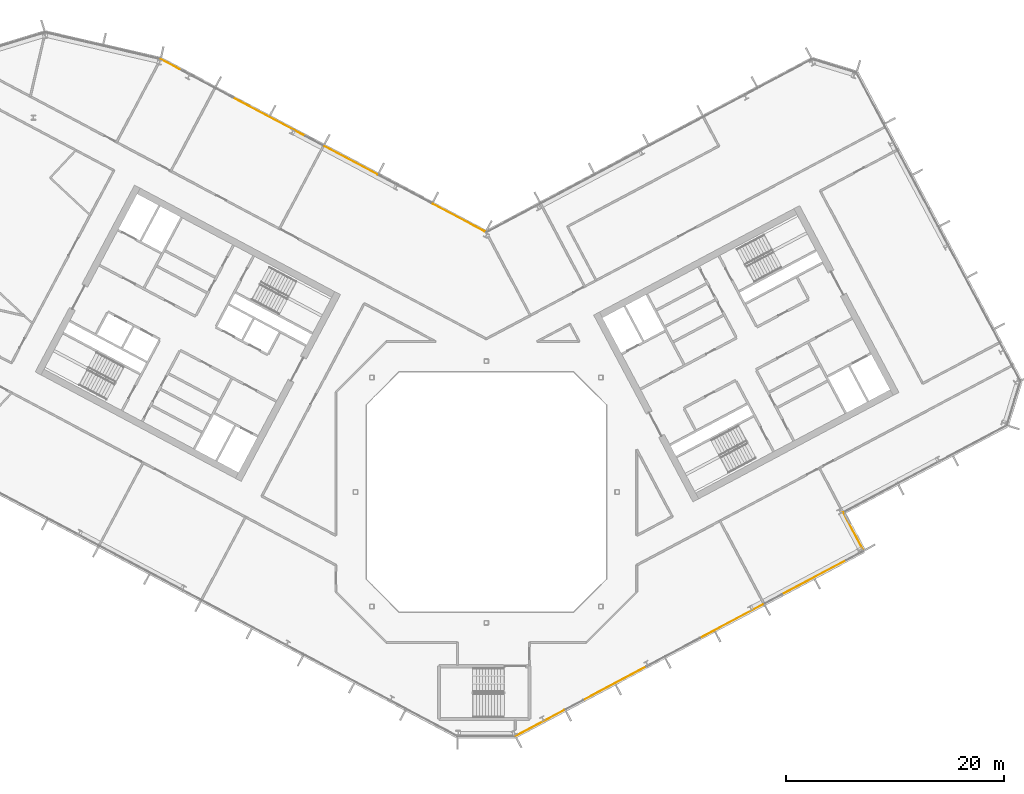
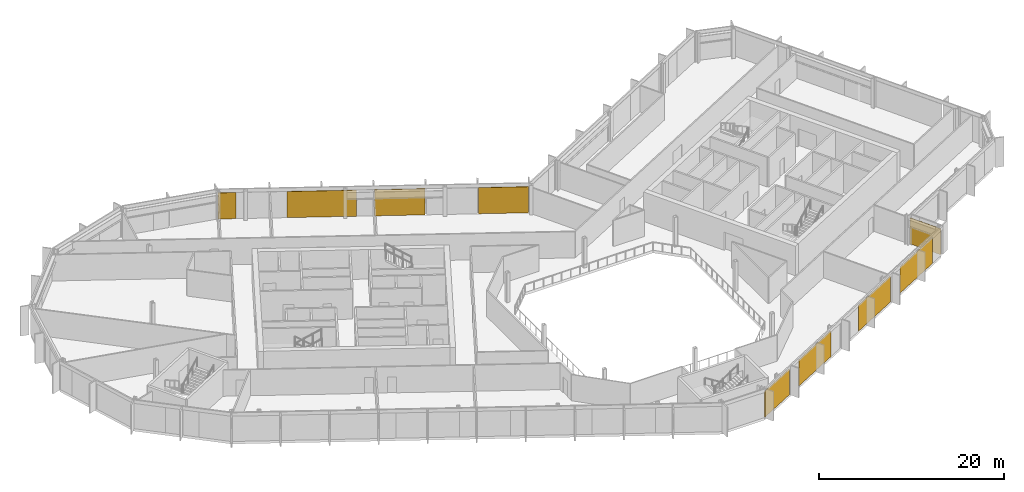
# One storey, part 23 of 26: 9 coverings, 3 elements without a shape of their own.
"""IFC4 building model written with IfcOpenShell, lengths in metres."""

from ifc_helpers import new_model, si_unit, direction, frame, origin, origin_2d, place, context, subcontext, project, spatial, rectangle, extrude, material, layer, layer_set, type_object, element, aggregate, save


model = new_model("IFC4")

# Units and contexts
model_context = context("Model", 3, precision=1e-05, world=origin(), true_north=direction((0.0, 1.0)))
body_context = subcontext(model_context, "Body", "Model", "MODEL_VIEW")
ifc_project = project(units=[si_unit("LENGTHUNIT", "METRE"), si_unit("AREAUNIT", "SQUARE_METRE"), si_unit("VOLUMEUNIT", "CUBIC_METRE"), si_unit("PLANEANGLEUNIT", "RADIAN"), si_unit("MASSUNIT", "GRAM", prefix="KILO")], contexts=[model_context])

# Site, building, storey
site_placement = place(None, origin())
site = spatial("IfcSite", under=ifc_project, at=site_placement, CompositionType="ELEMENT")
building_placement = place(site_placement, origin())
building = spatial("IfcBuilding", under=site, at=building_placement, Name="Cormorant Relay Tower", CompositionType="ELEMENT")
storey_placement = place(building_placement, frame((0.0, 0.0, 248.10009765625)))
storey = spatial("IfcBuildingStorey", under=building, at=storey_placement, Name="L55", CompositionType="ELEMENT", Elevation=248.10009765625)

# Curtain wall, coverings
ifc_material_1 = material(Name="Aluminium 6063-T6 anodised bronze", Category="aluminium")
ifc_layer_1 = layer(ifc_material_1, 0.199951171875)
ifc_layer_set_1 = layer_set([ifc_layer_1], Name="CW1 unitised bronze curtain wall with vertical fins")
curtain_wall_type = type_object("IfcCurtainWallType", Name="CW1 unitised bronze curtain wall with vertical fins", PredefinedType="NOTDEFINED", material=ifc_layer_set_1)
curtain_wall_1_placement = place(storey_placement, origin())
curtain_wall_1 = element("IfcCurtainWall", 1, at=curtain_wall_1_placement, inside=storey, type_object=curtain_wall_type, Name="CW1 curtain wall 2", PredefinedType="NOTDEFINED")
ifc_material_2 = material(Name="Pale bronze anodised aluminium insulated panel", Category="aluminium")
ifc_layer_2 = layer(ifc_material_2, 0.0400390625)
ifc_layer_set_2 = layer_set([ifc_layer_2], Name="CW1 pale bronze insulated panel 40")
covering_type = type_object("IfcCoveringType", Name="CW1 pale bronze insulated panel 40", PredefinedType="CLADDING", material=ifc_layer_set_2)
covering_1_placement = place(storey_placement, frame((4.939208984375, -21.180419921875, 0.0), z_axis=(0.0, 0.0, 1.0), x_axis=(0.882947592859, 0.469471562786, 0.0)))
covering_1 = element("IfcCovering", 2, at=covering_1_placement, type_object=covering_type, Name="CW1 panel S00", PredefinedType="CLADDING", context=body_context, shape_type="SweptSolid", body=[
    extrude(rectangle(XDim=5.0166015625, YDim=0.0400390625, at=origin_2d()), origin(), (0.0, 0.0, 1.0), 3.449951171875),
])
covering_2_placement = place(storey_placement, frame((11.78173828125, -17.5419921875, 0.0), z_axis=(0.0, 0.0, 1.0), x_axis=(0.882947592859, 0.469471562786, 0.0)))
covering_2 = element("IfcCovering", 3, at=covering_2_placement, type_object=covering_type, Name="CW1 panel S02", PredefinedType="CLADDING", context=body_context, shape_type="SweptSolid", body=[
    extrude(rectangle(XDim=6.5830078125, YDim=0.0400390625, at=origin_2d()), origin(), (0.0, 0.0, 1.0), 3.449951171875),
])
covering_3_placement = place(storey_placement, frame((22.49462890625, -11.845947265625, 0.0), z_axis=(0.0, 0.0, 1.0), x_axis=(0.882947592859, 0.469471562786, 0.0)))
covering_3 = element("IfcCovering", 4, at=covering_3_placement, type_object=covering_type, Name="CW1 panel S05", PredefinedType="CLADDING", context=body_context, shape_type="SweptSolid", body=[
    extrude(rectangle(XDim=6.5830078125, YDim=0.0400390625, at=origin_2d()), origin(), (0.0, 0.0, 1.0), 3.449951171875),
])
covering_4_placement = place(storey_placement, frame((30.06201171875, -7.822265625, 0.0), z_axis=(0.0, 0.0, 1.0), x_axis=(0.882947592859, 0.469471562786, 0.0)))
covering_4 = element("IfcCovering", 5, at=covering_4_placement, type_object=covering_type, Name="CW1 panel S07", PredefinedType="CLADDING", context=body_context, shape_type="SweptSolid", body=[
    extrude(rectangle(XDim=6.658203125, YDim=0.0400390625, at=origin_2d()), origin(), (0.0, 0.0, 1.0), 3.449951171875),
])
aggregate(curtain_wall_1, [covering_1, covering_2, covering_3, covering_4])

# Curtain wall, covering
curtain_wall_2_placement = place(storey_placement, origin())
curtain_wall_2 = element("IfcCurtainWall", 6, at=curtain_wall_2_placement, inside=storey, type_object=curtain_wall_type, Name="CW1 curtain wall 3", PredefinedType="NOTDEFINED")
covering_5_placement = place(storey_placement, frame((33.642578125, -3.58837890625, 0.0), z_axis=(0.0, 0.0, 1.0), x_axis=(-0.469471562786, 0.882947592859, 0.0)))
covering_5 = element("IfcCovering", 7, at=covering_5_placement, type_object=covering_type, Name="CW1 panel S00", PredefinedType="CLADDING", context=body_context, shape_type="SweptSolid", body=[
    extrude(rectangle(XDim=3.925048828125, YDim=0.0400390625, at=origin_2d()), origin(), (0.0, 0.0, 1.0), 3.449951171875),
])
aggregate(curtain_wall_2, [covering_5])

# Curtain wall, coverings
curtain_wall_3_placement = place(storey_placement, origin())
curtain_wall_3 = element("IfcCurtainWall", 8, at=curtain_wall_3_placement, inside=storey, type_object=curtain_wall_type, Name="CW1 curtain wall 9", PredefinedType="NOTDEFINED")
covering_6_placement = place(storey_placement, frame((-2.51318359375, 25.142822265625, 0.0), z_axis=(0.0, 0.0, 1.0), x_axis=(-0.882947592859, 0.469471562786, 0.0)))
covering_6 = element("IfcCovering", 9, at=covering_6_placement, type_object=covering_type, Name="CW1 panel S00", PredefinedType="CLADDING", context=body_context, shape_type="SweptSolid", body=[
    extrude(rectangle(XDim=5.4140625, YDim=0.0400390625, at=origin_2d()), origin(), (0.0, 0.0, 1.0), 3.449951171875),
])
covering_7_placement = place(storey_placement, frame((-12.43798828125, 30.419921875, 0.0), z_axis=(0.0, 0.0, 1.0), x_axis=(-0.882947592859, 0.469471562786, 0.0)))
covering_7 = element("IfcCovering", 10, at=covering_7_placement, type_object=covering_type, Name="CW1 panel S02", PredefinedType="CLADDING", context=body_context, shape_type="SweptSolid", body=[
    extrude(rectangle(XDim=5.489013671875, YDim=0.0400390625, at=origin_2d()), origin(), (0.0, 0.0, 1.0), 3.449951171875),
])
covering_8_placement = place(storey_placement, frame((-19.906494140625, 34.39111328125, 0.0), z_axis=(0.0, 0.0, 1.0), x_axis=(-0.882947592859, 0.469471562786, 0.0)))
covering_8 = element("IfcCovering", 11, at=covering_8_placement, type_object=covering_type, Name="CW1 panel S04", PredefinedType="CLADDING", context=body_context, shape_type="SweptSolid", body=[
    extrude(rectangle(XDim=7.528076171875, YDim=0.0400390625, at=origin_2d()), origin(), (0.0, 0.0, 1.0), 3.449951171875),
])
covering_9_placement = place(storey_placement, frame((-28.997314453125, 39.224853515625, 0.0), z_axis=(0.0, 0.0, 1.0), x_axis=(-0.882947592859, 0.469471562786, 0.0)))
covering_9 = element("IfcCovering", 12, at=covering_9_placement, type_object=covering_type, Name="CW1 panel S07", PredefinedType="CLADDING", context=body_context, shape_type="SweptSolid", body=[
    extrude(rectangle(XDim=1.964111328125, YDim=0.0400390625, at=origin_2d()), origin(), (0.0, 0.0, 1.0), 3.449951171875),
])
aggregate(curtain_wall_3, [covering_6, covering_7, covering_8, covering_9])

save(model, "model.ifc")
